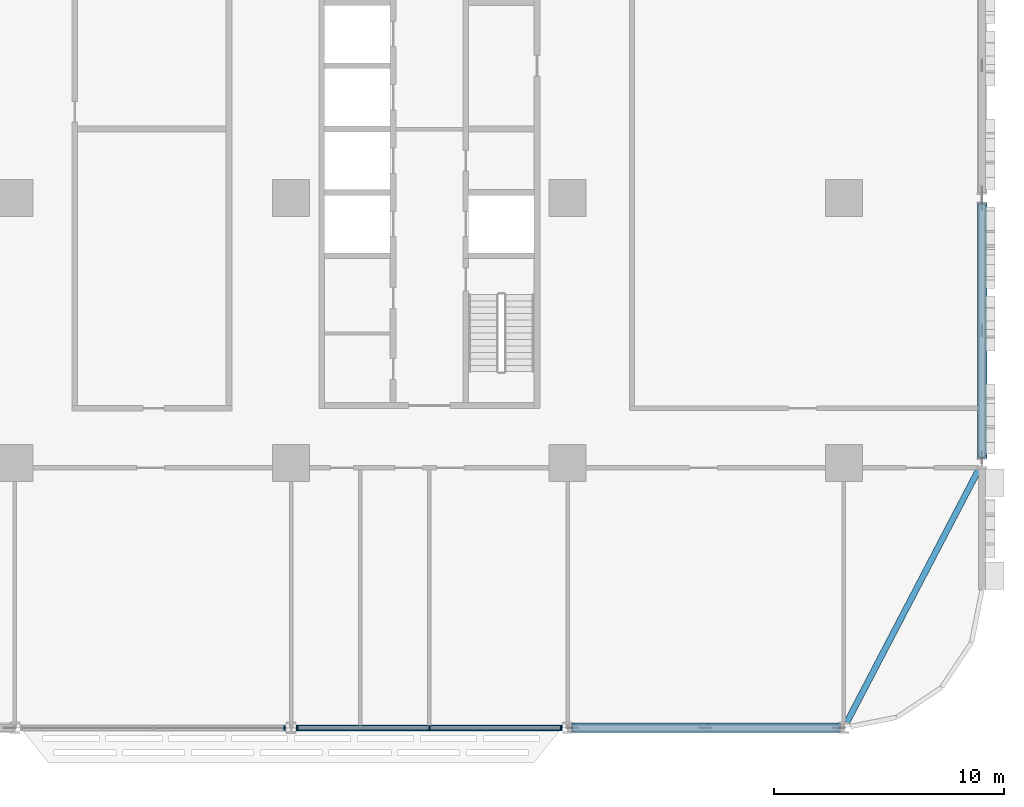
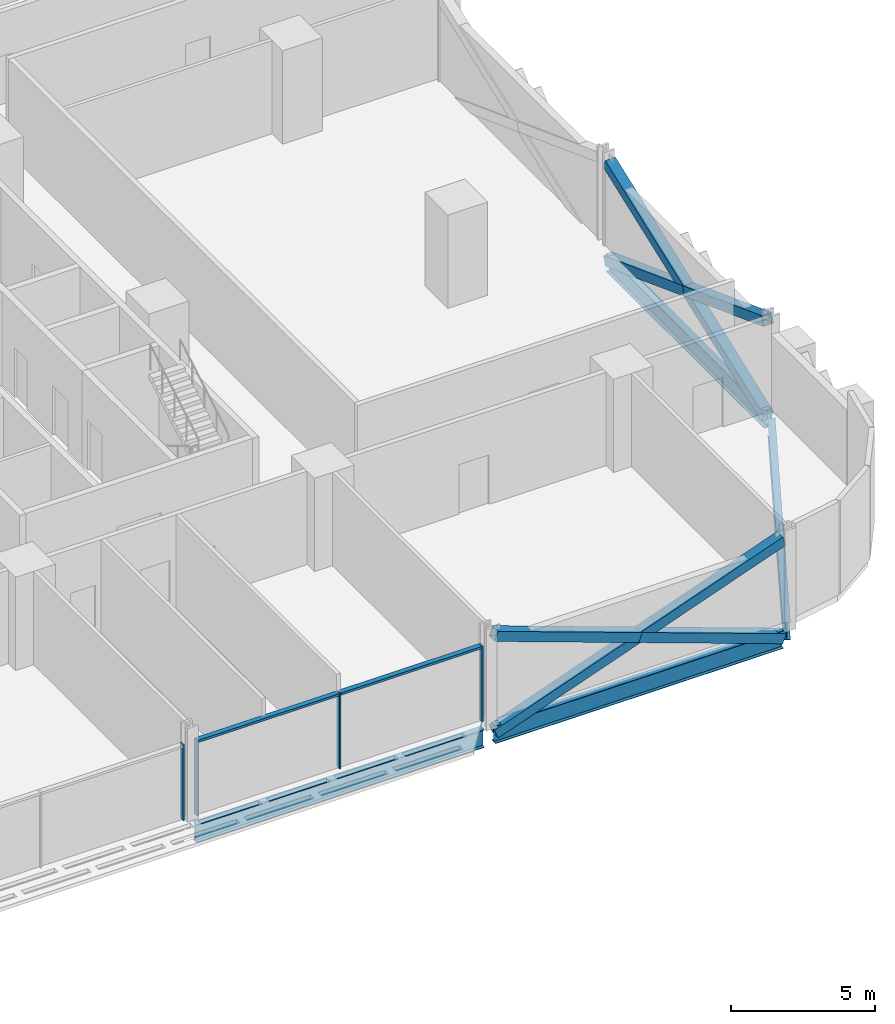
# One storey, part 7 of 27: 12 members, 4 beams, 2 elements without a shape of their own.
"""IFC4 building model written with IfcOpenShell, lengths in metres."""

from ifc_helpers import new_model, si_unit, direction, frame, origin, origin_2d, place, context, subcontext, project, spatial, rectangle, hollow_rectangle, i_section, extrude, material, material_profile, profile_set, type_object, element, aggregate, save


model = new_model("IFC4")

# Units and contexts
model_context = context("Model", 3, precision=1e-05, world=origin(), true_north=direction((0.0, 1.0)))
body_context = subcontext(model_context, "Body", "Model", "MODEL_VIEW")
ifc_project = project(units=[si_unit("LENGTHUNIT", "METRE"), si_unit("AREAUNIT", "SQUARE_METRE"), si_unit("VOLUMEUNIT", "CUBIC_METRE"), si_unit("PLANEANGLEUNIT", "RADIAN"), si_unit("MASSUNIT", "GRAM", prefix="KILO")], contexts=[model_context])

# Site, building, storey
site_placement = place(None, origin())
site = spatial("IfcSite", under=ifc_project, at=site_placement, CompositionType="ELEMENT")
building_placement = place(site_placement, origin())
building = spatial("IfcBuilding", under=site, at=building_placement, Name="Mahtab Terrace Research Tower", CompositionType="ELEMENT")
storey_placement = place(building_placement, frame((0.0, 0.0, 28.699951171875)))
storey = spatial("IfcBuildingStorey", under=building, at=storey_placement, Name="L06", CompositionType="ELEMENT", Elevation=28.699951171875)

# Members
ifc_material_1 = material(Name="Steel ASTM A500 Gr C", Category="steel")
ifc_material_profile_1 = material_profile(ifc_material_1, hollow_rectangle(XDim=0.406494140625, YDim=0.406494140625, WallThickness=0.01904296875, at=origin_2d()), Name="HSS16X16X3/4")
ifc_profile_set_1 = profile_set([ifc_material_profile_1], Name="Steel ASTM A500 Gr C")
member_type_1 = type_object("IfcMemberType", Name="HSS 16x16x3/4 brace XB161634", PredefinedType="BRACE", material=ifc_profile_set_1)
member_1_placement = place(storey_placement, frame((30.2158203125, -23.0, -0.64111328125), z_axis=(0.941388097231, 0.0, 0.337325436917), x_axis=(0.0, 1.0, 0.0)))
element("IfcMember", 1, at=member_1_placement, inside=storey, type_object=member_type_1, Name="Exoskeleton brace L06 18 a", PredefinedType="BRACE", context=body_context, shape_type="SweptSolid", body=[
    extrude(hollow_rectangle(XDim=0.406494140625, YDim=0.406494140625, WallThickness=0.01904296875, at=origin_2d()), origin(), (0.0, 0.0, 1.0), 12.28857421875),
])
for number, where, z_axis, x_axis, name in (
    (2, (41.7841796875, -23.0, -0.64111328125), (-0.941381788192, 0.0, 0.337343043295), (0.0, -1.0, 0.0), "Exoskeleton brace L06 18 b1"),
    (3, (36.0, -23.0, 1.431640625), (-0.941394406025, 0.0, 0.337307830185), (0.0, -1.0, 0.0), "Exoskeleton brace L06 18 b2"),
):
    element("IfcMember", number, at=place(storey_placement, frame(where, z_axis=z_axis, x_axis=x_axis)), inside=storey, type_object=member_type_1, Name=name, PredefinedType="BRACE", context=body_context, shape_type="SweptSolid", body=[
        extrude(hollow_rectangle(XDim=0.406494140625, YDim=0.406494140625, WallThickness=0.01904296875, at=origin_2d()), origin(), (0.0, 0.0, 1.0), 6.144287109375),
    ])
member_2_placement = place(storey_placement, frame((48.0, -11.251220703125, -0.625244140625), z_axis=(0.0, 0.936668691391, 0.350216736563), x_axis=(-1.0, 0.0, 0.0)))
element("IfcMember", 4, at=member_2_placement, inside=storey, type_object=member_type_1, Name="Exoskeleton brace L06 20 a", PredefinedType="BRACE", context=body_context, shape_type="SweptSolid", body=[
    extrude(hollow_rectangle(XDim=0.406494140625, YDim=0.406494140625, WallThickness=0.01904296875, at=origin_2d()), origin(), (0.0, 0.0, 1.0), 11.746337890625),
])
for number, where, z_axis, x_axis, name in (
    (5, (48.0, -0.248779296875, -0.625244140625), (0.0, -0.936668691391, 0.350216736563), (1.0, 0.0, 0.0), "Exoskeleton brace L06 20 b1"),
    (6, (48.0, -5.75, 1.431640625), (0.0, -0.936668691391, 0.350216736563), (1.0, 0.0, 0.0), "Exoskeleton brace L06 20 b2"),
):
    element("IfcMember", number, at=place(storey_placement, frame(where, z_axis=z_axis, x_axis=x_axis)), inside=storey, type_object=member_type_1, Name=name, PredefinedType="BRACE", context=body_context, shape_type="SweptSolid", body=[
        extrude(hollow_rectangle(XDim=0.406494140625, YDim=0.406494140625, WallThickness=0.01904296875, at=origin_2d()), origin(), (0.0, 0.0, 1.0), 5.873291015625),
    ])

# Curtain wall, member
ifc_material_2 = material(Name="Laboratory ribbon curtain wall")
curtain_wall_type = type_object("IfcCurtainWallType", Name="Laboratory ribbon curtain wall", PredefinedType="NOTDEFINED", material=ifc_material_2)
curtain_wall_1_placement = place(storey_placement, origin())
curtain_wall_1 = element("IfcCurtainWall", 7, at=curtain_wall_1_placement, inside=storey, type_object=curtain_wall_type, Name="EN.L06.13.26", PredefinedType="NOTDEFINED")
ifc_material_3 = material(Name="Natural anodised aluminium", Category="aluminium")
ifc_material_profile_2 = material_profile(ifc_material_3, rectangle(XDim=0.199951171875, YDim=0.06494140625, at=origin_2d()), Name="MULLION 65x200")
ifc_profile_set_2 = profile_set([ifc_material_profile_2], Name="Natural anodised aluminium")
member_type_2 = type_object("IfcMemberType", Name="Laboratory ribbon curtain wall mullion", PredefinedType="MULLION", material=ifc_profile_set_2)
member_3_placement = place(storey_placement, frame((17.718505859375, -23.0, 0.0), z_axis=(0.0, 0.0, 1.0), x_axis=(0.0, 1.0, 0.0)))
member_3 = element("IfcMember", 8, at=member_3_placement, type_object=member_type_2, Name="CWL-1 mullion 3", PredefinedType="MULLION", context=body_context, shape_type="SweptSolid", body=[
    extrude(rectangle(XDim=0.199951171875, YDim=0.06494140625, at=origin_2d()), origin(), (0.0, 0.0, 1.0), 3.203125),
])
aggregate(curtain_wall_1, [member_3])

# Curtain wall, members
curtain_wall_2_placement = place(storey_placement, origin())
curtain_wall_2 = element("IfcCurtainWall", 9, at=curtain_wall_2_placement, inside=storey, type_object=curtain_wall_type, Name="EN.L06.13.27", PredefinedType="NOTDEFINED")
member_4_placement = place(storey_placement, frame((18.281494140625, -23.0, 0.0), z_axis=(0.0, 0.0, 1.0), x_axis=(0.0, 1.0, 0.0)))
member_4 = element("IfcMember", 10, at=member_4_placement, type_object=member_type_2, Name="CWL-1 mullion 1", PredefinedType="MULLION", context=body_context, shape_type="SweptSolid", body=[
    extrude(rectangle(XDim=0.199951171875, YDim=0.06494140625, at=origin_2d()), origin(), (0.0, 0.0, 1.0), 3.203125),
])
member_5_placement = place(storey_placement, frame((24.0, -23.0, 0.0), z_axis=(0.0, 0.0, 1.0), x_axis=(0.0, 1.0, 0.0)))
member_5 = element("IfcMember", 11, at=member_5_placement, type_object=member_type_2, Name="CWL-1 mullion 2", PredefinedType="MULLION", context=body_context, shape_type="SweptSolid", body=[
    extrude(rectangle(XDim=0.199951171875, YDim=0.06494140625, at=origin_2d()), origin(), (0.0, 0.0, 1.0), 3.203125),
])
member_6_placement = place(storey_placement, frame((29.718505859375, -23.0, 0.0), z_axis=(0.0, 0.0, 1.0), x_axis=(0.0, 1.0, 0.0)))
member_6 = element("IfcMember", 12, at=member_6_placement, type_object=member_type_2, Name="CWL-1 mullion 3", PredefinedType="MULLION", context=body_context, shape_type="SweptSolid", body=[
    extrude(rectangle(XDim=0.199951171875, YDim=0.06494140625, at=origin_2d()), origin(), (0.0, 0.0, 1.0), 3.203125),
])
ifc_material_profile_3 = material_profile(ifc_material_3, rectangle(XDim=0.199951171875, YDim=0.10009765625, at=origin_2d()), Name="TRANSOM 100x200")
ifc_profile_set_3 = profile_set([ifc_material_profile_3], Name="Natural anodised aluminium")
member_type_3 = type_object("IfcMemberType", Name="Laboratory ribbon curtain wall transom", PredefinedType="USERDEFINED", material=ifc_profile_set_3)
member_7_placement = place(storey_placement, frame((18.31396484375, -23.0, 3.153076171875), z_axis=(1.0, 0.0, 0.0), x_axis=(0.0, 1.0, 0.0)))
member_7 = element("IfcMember", 13, at=member_7_placement, type_object=member_type_3, Name="CWL-1 transom 1", ObjectType="TRANSOM", PredefinedType="USERDEFINED", context=body_context, shape_type="SweptSolid", body=[
    extrude(rectangle(XDim=0.199951171875, YDim=0.10009765625, at=origin_2d()), origin(), (0.0, 0.0, 1.0), 5.653564453125),
])
member_8_placement = place(storey_placement, frame((24.032470703125, -23.0, 3.153076171875), z_axis=(1.0, 0.0, 0.0), x_axis=(0.0, 1.0, 0.0)))
member_8 = element("IfcMember", 14, at=member_8_placement, type_object=member_type_3, Name="CWL-1 transom 2", ObjectType="TRANSOM", PredefinedType="USERDEFINED", context=body_context, shape_type="SweptSolid", body=[
    extrude(rectangle(XDim=0.199951171875, YDim=0.10009765625, at=origin_2d()), origin(), (0.0, 0.0, 1.0), 5.653564453125),
])
aggregate(curtain_wall_2, [member_4, member_5, member_6, member_7, member_8])

# Beams
ifc_material_4 = material(Name="Steel ASTM A992 Gr 50", Category="steel")
ifc_material_profile_4 = material_profile(ifc_material_4, i_section(OverallWidth=0.2666015625, OverallDepth=0.7568359375, WebThickness=0.013916015625, FlangeThickness=0.019287109375, at=origin_2d()), Name="W30X108")
ifc_profile_set_4 = profile_set([ifc_material_profile_4], Name="Steel ASTM A992 Gr 50")
beam_type = type_object("IfcBeamType", Name="W30x108 beam BS30108", PredefinedType="BEAM", material=ifc_profile_set_4)
for number, where, z_axis, x_axis, name in (
    (15, (18.2158203125, -23.0, -0.718505859375), (1.0, 0.0, 0.0), (0.0, 1.0, 0.0), "Spandrel beam L06 17"),
    (16, (30.2158203125, -23.0, -0.718505859375), (1.0, 0.0, 0.0), (0.0, 1.0, 0.0), "Spandrel beam L06 18"),
):
    element("IfcBeam", number, at=place(storey_placement, frame(where, z_axis=z_axis, x_axis=x_axis)), inside=storey, type_object=beam_type, Name=name, PredefinedType="BEAM", context=body_context, shape_type="SweptSolid", body=[
        extrude(i_section(OverallWidth=0.2666015625, OverallDepth=0.7568359375, WebThickness=0.013916015625, FlangeThickness=0.019287109375, at=origin_2d()), origin(), (0.0, 0.0, 1.0), 11.568359375),
    ])
beam_1_placement = place(storey_placement, frame((42.1298828125, -22.751220703125, -0.718505859375), z_axis=(0.462555249274, 0.88659045865, 0.0), x_axis=(-0.88659045865, 0.462555249274, 0.0)))
element("IfcBeam", 17, at=beam_1_placement, inside=storey, type_object=beam_type, Name="Spandrel beam L06 19", PredefinedType="BEAM", context=body_context, shape_type="SweptSolid", body=[
    extrude(i_section(OverallWidth=0.2666015625, OverallDepth=0.7568359375, WebThickness=0.013916015625, FlangeThickness=0.019287109375, at=origin_2d()), origin(), (0.0, 0.0, 1.0), 12.409912109375),
])
beam_2_placement = place(storey_placement, frame((48.0, -11.251220703125, -0.718505859375), z_axis=(0.0, 1.0, 0.0), x_axis=(-1.0, 0.0, 0.0)))
element("IfcBeam", 18, at=beam_2_placement, inside=storey, type_object=beam_type, Name="Spandrel beam L06 20", PredefinedType="BEAM", context=body_context, shape_type="SweptSolid", body=[
    extrude(i_section(OverallWidth=0.2666015625, OverallDepth=0.7568359375, WebThickness=0.013916015625, FlangeThickness=0.019287109375, at=origin_2d()), origin(), (0.0, 0.0, 1.0), 11.00244140625),
])

save(model, "model.ifc")
